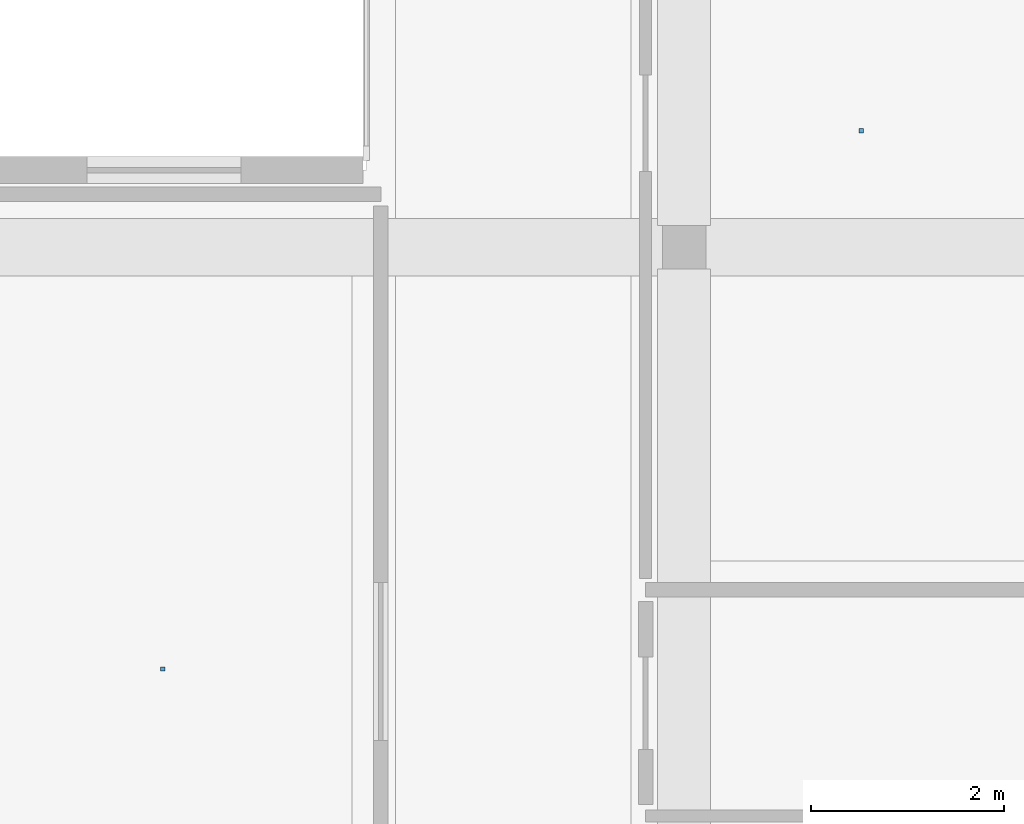
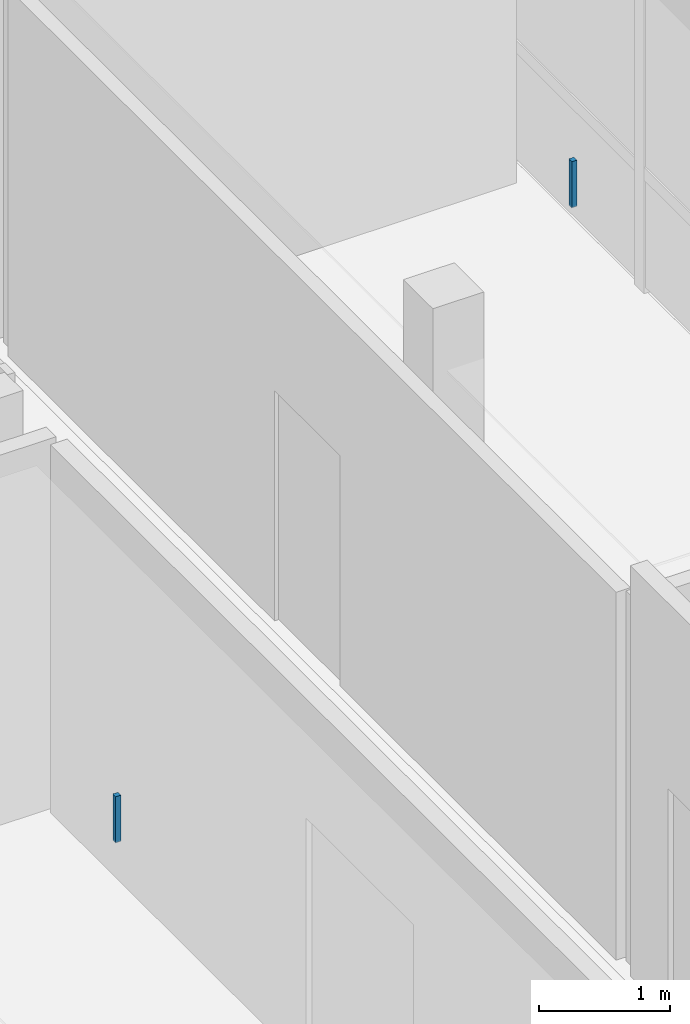
# One storey, part 36 of 48: 2 discrete accessories.
"""IFC4 building model written with IfcOpenShell, lengths in metres."""

from ifc_helpers import new_model, si_unit, derived_unit, direction, frame, origin, origin_2d, place, context, subcontext, project, spatial, rectangle, extrude, material, type_object, element, save


model = new_model("IFC4")

# Units and contexts
model_context = context("Model", 3, precision=1e-05, world=origin(), true_north=direction((0.0, 1.0)))
body_context = subcontext(model_context, "Body", "Model", "MODEL_VIEW")
ifc_project = project(units=[si_unit("LENGTHUNIT", "METRE"), si_unit("AREAUNIT", "SQUARE_METRE"), si_unit("VOLUMEUNIT", "CUBIC_METRE"), si_unit("PLANEANGLEUNIT", "RADIAN"), si_unit("MASSUNIT", "GRAM", prefix="KILO"), derived_unit("THERMALTRANSMITTANCEUNIT", [(si_unit("POWERUNIT", "WATT"), 1), (si_unit("LENGTHUNIT", "METRE"), -2), (si_unit("THERMODYNAMICTEMPERATUREUNIT", "KELVIN"), -1)])], contexts=[model_context])

# Site, building, storey
site_placement = place(None, origin())
site = spatial("IfcSite", under=ifc_project, at=site_placement, CompositionType="ELEMENT")
building_placement = place(site_placement, origin())
building = spatial("IfcBuilding", under=site, at=building_placement, Name="Braskholm Square Health Centre", CompositionType="ELEMENT")
storey_placement = place(building_placement, frame((0.0, 0.0, 17.550048828125)))
storey = spatial("IfcBuildingStorey", under=building, at=storey_placement, Name="L05", CompositionType="ELEMENT", Elevation=17.550048828125)

# Discrete accessories
ifc_material = material(Name="Steel ASTM A500 Grade C", Category="steel")
discrete_accessory_type = type_object("IfcDiscreteAccessoryType", Name="CeilingSuspensionBracket", PredefinedType="BRACKET", material=ifc_material)
for number, where, z_axis, x_axis, name in (
    (1, (158.43994140625, 31.010009765625, 3.421875), (0.0, 0.0, 1.0), (1.0, 0.0, 0.0), "Ceiling hanger bracket 0191"),
    (2, (151.18505859375, 25.419921875, 3.421875), (0.0, 0.0, 1.0), (1.0, 0.0, 0.0), "Ceiling hanger bracket 0200"),
):
    element("IfcDiscreteAccessory", number, at=place(storey_placement, frame(where, z_axis=z_axis, x_axis=x_axis)), inside=storey, type_object=discrete_accessory_type, Name=name, PredefinedType="BRACKET", context=body_context, shape_type="SweptSolid", body=[
        extrude(rectangle(XDim=0.044921875, YDim=0.044921875, at=origin_2d()), origin(), (0.0, 0.0, 1.0), 0.429931640625),
    ])

save(model, "model.ifc")
